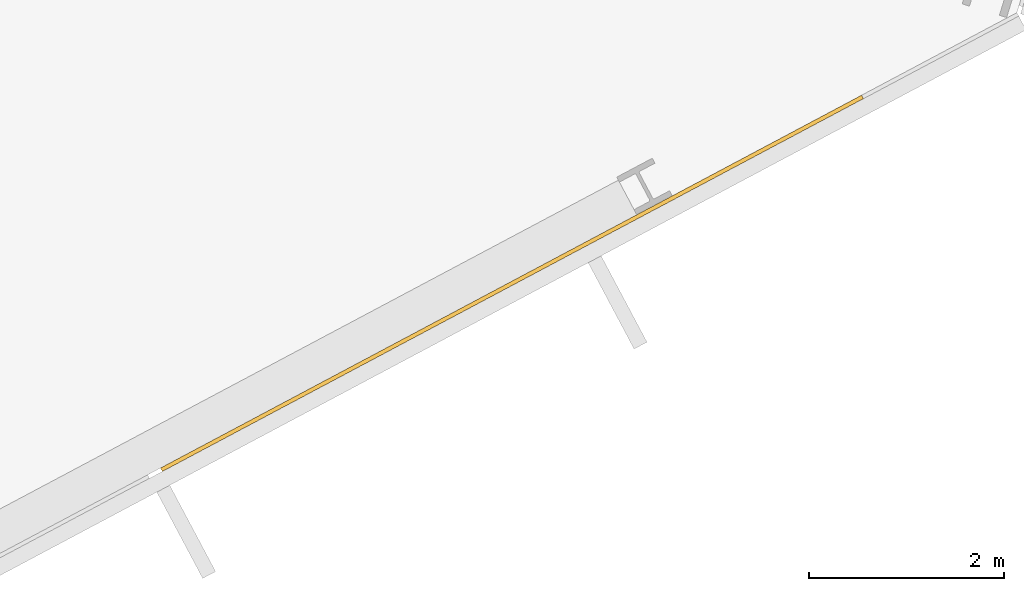
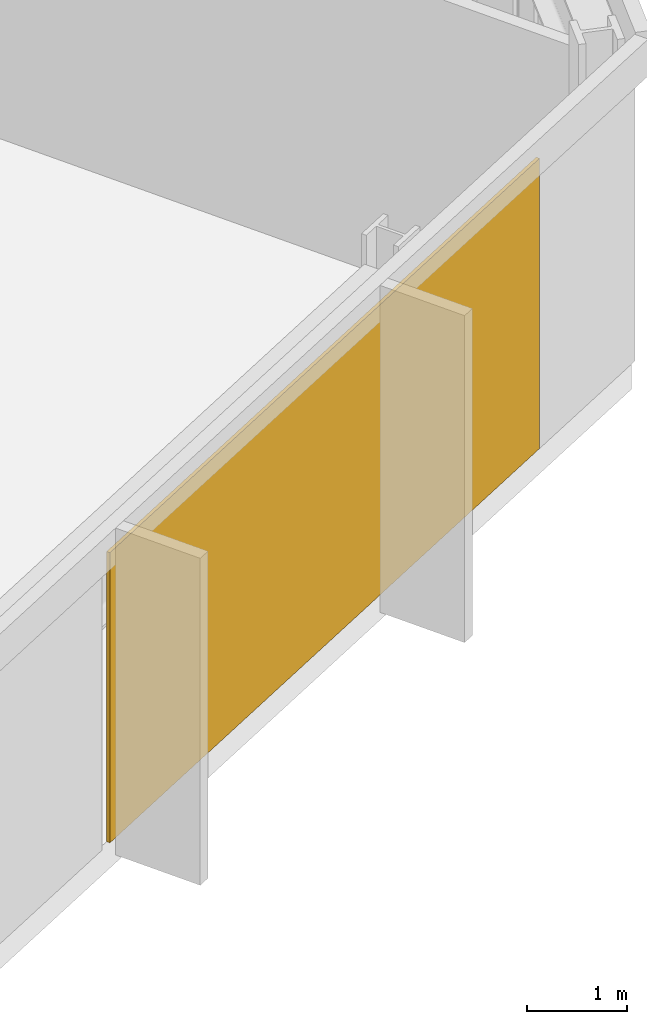
# One storey, part 26 of 28: 1 covering, 1 element without a shape of its own.
"""IFC4 building model written with IfcOpenShell, lengths in metres."""

from ifc_helpers import new_model, si_unit, direction, frame, origin, origin_2d, place, context, subcontext, project, spatial, rectangle, extrude, material, layer, layer_set, type_object, element, aggregate, save


model = new_model("IFC4")

# Units and contexts
model_context = context("Model", 3, precision=1e-05, world=origin(), true_north=direction((0.0, 1.0)))
body_context = subcontext(model_context, "Body", "Model", "MODEL_VIEW")
ifc_project = project(units=[si_unit("LENGTHUNIT", "METRE"), si_unit("AREAUNIT", "SQUARE_METRE"), si_unit("VOLUMEUNIT", "CUBIC_METRE"), si_unit("PLANEANGLEUNIT", "RADIAN"), si_unit("MASSUNIT", "GRAM", prefix="KILO")], contexts=[model_context])

# Site, building, storey
site_placement = place(None, origin())
site = spatial("IfcSite", under=ifc_project, at=site_placement, CompositionType="ELEMENT")
building_placement = place(site_placement, origin())
building = spatial("IfcBuilding", under=site, at=building_placement, Name="Cormorant Relay Tower", CompositionType="ELEMENT")
storey_placement = place(building_placement, frame((0.0, 0.0, 122.199951171875)))
storey = spatial("IfcBuildingStorey", under=building, at=storey_placement, Name="L24", CompositionType="ELEMENT", Elevation=122.199951171875)

# Curtain wall, covering
ifc_material_1 = material(Name="Aluminium 6063-T6 anodised bronze", Category="aluminium")
ifc_layer_1 = layer(ifc_material_1, 0.199951171875)
ifc_layer_set_1 = layer_set([ifc_layer_1], Name="CW1 unitised bronze curtain wall with vertical fins")
curtain_wall_type = type_object("IfcCurtainWallType", Name="CW1 unitised bronze curtain wall with vertical fins", PredefinedType="NOTDEFINED", material=ifc_layer_set_1)
curtain_wall_placement = place(storey_placement, origin())
curtain_wall = element("IfcCurtainWall", 1, at=curtain_wall_placement, inside=storey, type_object=curtain_wall_type, Name="CW1 curtain wall 4", PredefinedType="NOTDEFINED")
ifc_material_2 = material(Name="Pale bronze anodised aluminium insulated panel", Category="aluminium")
ifc_layer_2 = layer(ifc_material_2, 0.0400390625)
ifc_layer_set_2 = layer_set([ifc_layer_2], Name="CW1 pale bronze insulated panel 40")
covering_type = type_object("IfcCoveringType", Name="CW1 pale bronze insulated panel 40", PredefinedType="CLADDING", material=ifc_layer_set_2)
covering_placement = place(storey_placement, frame((50.54931640625, 5.336181640625, 0.0), z_axis=(0.0, 0.0, 1.0), x_axis=(0.882947592859, 0.469471562786, 0.0)))
covering = element("IfcCovering", 2, at=covering_placement, type_object=covering_type, Name="CW1 panel S04", PredefinedType="CLADDING", context=body_context, shape_type="SweptSolid", body=[
    extrude(rectangle(XDim=8.125, YDim=0.0400390625, at=origin_2d()), origin(), (0.0, 0.0, 1.0), 3.550048828125),
])
aggregate(curtain_wall, [covering])

save(model, "model.ifc")
